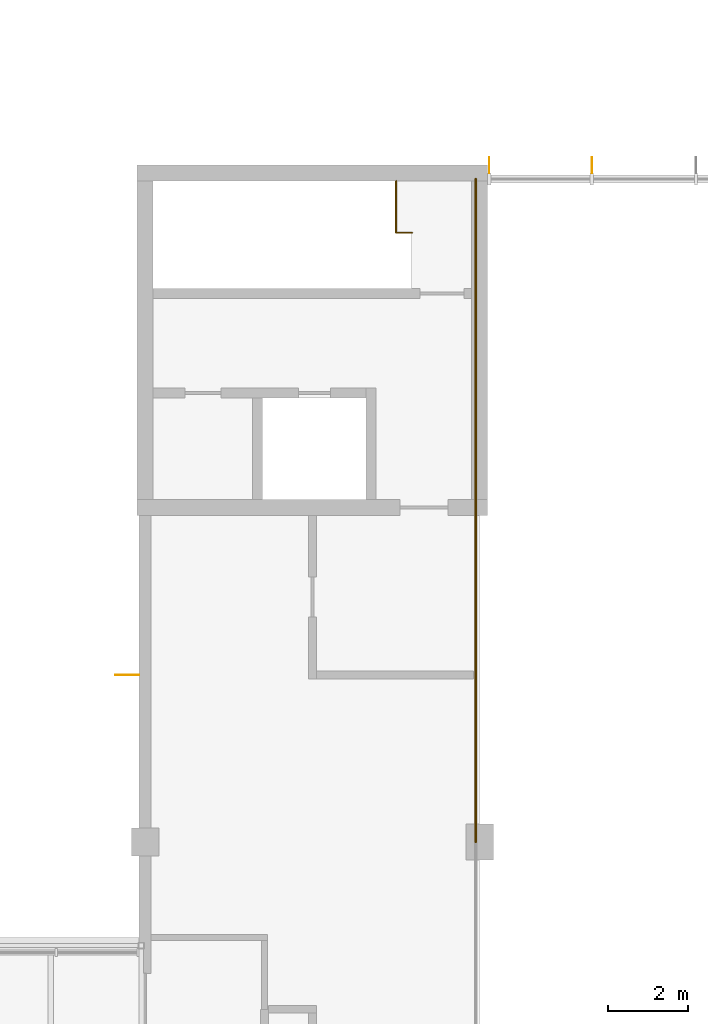
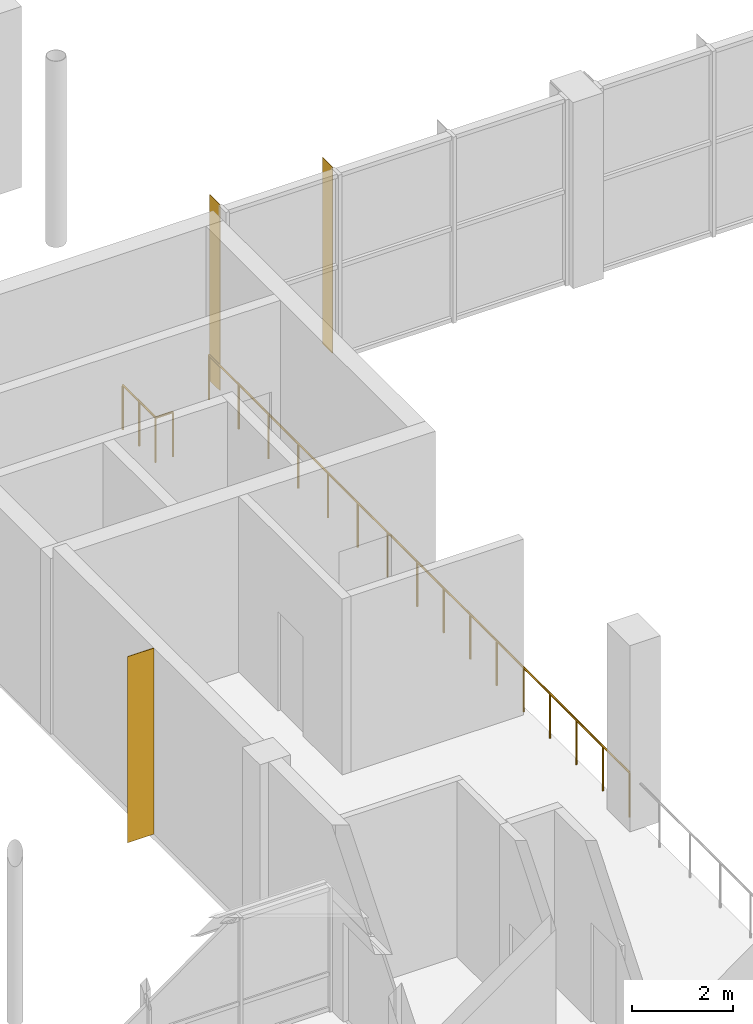
# One storey, part 60 of 70: 3 railings, 3 shading devices.
"""IFC4 building model written with IfcOpenShell, lengths in metres."""

from ifc_helpers import new_model, si_unit, direction, frame, origin, origin_2d, place, context, subcontext, project, spatial, rectangle, circle, extrude, material, layer, layer_set, type_object, element, save


model = new_model("IFC4")

# Units and contexts
model_context = context("Model", 3, precision=1e-05, world=origin(), true_north=direction((0.0, 1.0)))
body_context = subcontext(model_context, "Body", "Model", "MODEL_VIEW")
ifc_project = project(units=[si_unit("LENGTHUNIT", "METRE"), si_unit("AREAUNIT", "SQUARE_METRE"), si_unit("VOLUMEUNIT", "CUBIC_METRE"), si_unit("PLANEANGLEUNIT", "RADIAN"), si_unit("MASSUNIT", "GRAM", prefix="KILO")], contexts=[model_context])

# Site, building, storey
site_placement = place(None, origin())
site = spatial("IfcSite", under=ifc_project, at=site_placement, CompositionType="ELEMENT")
building_placement = place(site_placement, origin())
building = spatial("IfcBuilding", under=site, at=building_placement, Name="Hlaing Beacon Police Headquarters", CompositionType="ELEMENT")
storey_placement = place(building_placement, frame((0.0, 0.0, 5.39990234375)))
storey = spatial("IfcBuildingStorey", under=building, at=storey_placement, Name="L01", CompositionType="ELEMENT", Elevation=5.39990234375)

# Shading devices
ifc_material_1 = material(Name="Aluminium 6063-T5 anodised", Category="aluminium")
ifc_layer_1 = layer(ifc_material_1, 0.011962890625)
ifc_layer_set_1 = layer_set([ifc_layer_1], Name="Aluminium 6063-T5 anodised")
shading_device_type_1 = type_object("IfcShadingDeviceType", Name="Aluminium fin 12x400", PredefinedType="JALOUSIE", material=ifc_layer_set_1)
for number, where, z_axis, x_axis, name in (
    (1, (70.0166015625, 67.39990234375, 0.0), (0.0, 0.0, 1.0), (-1.0, 0.0, 0.0), "Fin L01 N008.2"),
    (2, (67.43994140625, 67.39990234375, 0.0), (0.0, 0.0, 1.0), (-1.0, 0.0, 0.0), "Fin L01 N008.3"),
):
    element("IfcShadingDevice", number, at=place(storey_placement, frame(where, z_axis=z_axis, x_axis=x_axis)), inside=storey, type_object=shading_device_type_1, Name=name, PredefinedType="JALOUSIE", context=body_context, shape_type="SweptSolid", body=[
        extrude(rectangle(XDim=0.011962890625, YDim=0.39990234375, at=origin_2d()), origin(), (0.0, 0.0, 1.0), 4.5),
    ])
ifc_material_2 = material(Name="Aluminium 6063-T5 anodised", Category="aluminium")
ifc_layer_2 = layer(ifc_material_2, 0.011962890625)
ifc_layer_set_2 = layer_set([ifc_layer_2], Name="Aluminium 6063-T5 anodised")
shading_device_type_2 = type_object("IfcShadingDeviceType", Name="Aluminium fin 12x600", PredefinedType="JALOUSIE", material=ifc_layer_set_2)
shading_device_placement = place(storey_placement, frame((58.35009765625, 54.60009765625, 0.0), z_axis=(0.0, 0.0, 1.0), x_axis=(0.0, -1.0, 0.0)))
element("IfcShadingDevice", 3, at=shading_device_placement, inside=storey, type_object=shading_device_type_2, Name="Fin L01 W006", PredefinedType="JALOUSIE", context=body_context, shape_type="SweptSolid", body=[
    extrude(rectangle(XDim=0.011962890625, YDim=0.60009765625, at=origin_2d()), origin(), (0.0, 0.0, 1.0), 4.5),
])

# Railings
ifc_material_3 = material(Name="Stainless steel", Category="steel")
railing_type_1 = type_object("IfcRailingType", Name="Guard 1100", PredefinedType="GUARDRAIL", material=ifc_material_3)
railing_1_placement = place(storey_placement, frame((67.10009765625, 50.39990234375, 0.0)))
element("IfcRailing", 4, at=railing_1_placement, inside=storey, type_object=railing_type_1, Name="Guard L01 6", PredefinedType="GUARDRAIL", context=body_context, shape_type="SweptSolid", body=[
    extrude(circle(Radius=0.02392578125, at=origin_2d()), frame((0.0, 0.0, 1.076171875), z_axis=(0.0, 1.0, 0.0), x_axis=(-1.0, 0.0, 0.0)), (0.0, 0.0, 1.0), 8.400146484375),
    extrude(circle(Radius=0.02099609375, at=origin_2d()), origin(), (0.0, 0.0, 1.0), 1.052001953125),
    extrude(circle(Radius=0.02099609375, at=origin_2d()), frame((0.0, 1.050048828125, 0.0)), (0.0, 0.0, 1.0), 1.052001953125),
    extrude(circle(Radius=0.02099609375, at=origin_2d()), frame((0.0, 2.10009765625, 0.0)), (0.0, 0.0, 1.0), 1.052001953125),
    extrude(circle(Radius=0.02099609375, at=origin_2d()), frame((0.0, 3.150146484375, 0.0)), (0.0, 0.0, 1.0), 1.052001953125),
    extrude(circle(Radius=0.02099609375, at=origin_2d()), frame((0.0, 4.2001953125, 0.0)), (0.0, 0.0, 1.0), 1.052001953125),
    extrude(circle(Radius=0.02099609375, at=origin_2d()), frame((0.0, 5.25, 0.0)), (0.0, 0.0, 1.0), 1.052001953125),
    extrude(circle(Radius=0.02099609375, at=origin_2d()), frame((0.0, 6.300048828125, 0.0)), (0.0, 0.0, 1.0), 1.052001953125),
    extrude(circle(Radius=0.02099609375, at=origin_2d()), frame((0.0, 7.35009765625, 0.0)), (0.0, 0.0, 1.0), 1.052001953125),
    extrude(circle(Radius=0.02099609375, at=origin_2d()), frame((0.0, 8.400146484375, 0.0)), (0.0, 0.0, 1.0), 1.052001953125),
])
railing_2_placement = place(storey_placement, frame((67.10009765625, 58.800048828125, 0.0)))
element("IfcRailing", 5, at=railing_2_placement, inside=storey, type_object=railing_type_1, Name="Guard L01 7", PredefinedType="GUARDRAIL", context=body_context, shape_type="SweptSolid", body=[
    extrude(circle(Radius=0.02392578125, at=origin_2d()), frame((0.0, 0.0, 1.076171875), z_axis=(0.0, 1.0, 0.0), x_axis=(-1.0, 0.0, 0.0)), (0.0, 0.0, 1.0), 8.25),
    extrude(circle(Radius=0.02099609375, at=origin_2d()), origin(), (0.0, 0.0, 1.0), 1.052001953125),
    extrude(circle(Radius=0.02099609375, at=origin_2d()), frame((0.0, 1.178466796875, 0.0)), (0.0, 0.0, 1.0), 1.052001953125),
    extrude(circle(Radius=0.02099609375, at=origin_2d()), frame((0.0, 2.357177734375, 0.0)), (0.0, 0.0, 1.0), 1.052001953125),
    extrude(circle(Radius=0.02099609375, at=origin_2d()), frame((0.0, 3.53564453125, 0.0)), (0.0, 0.0, 1.0), 1.052001953125),
    extrude(circle(Radius=0.02099609375, at=origin_2d()), frame((0.0, 4.71435546875, 0.0)), (0.0, 0.0, 1.0), 1.052001953125),
    extrude(circle(Radius=0.02099609375, at=origin_2d()), frame((0.0, 5.892822265625, 0.0)), (0.0, 0.0, 1.0), 1.052001953125),
    extrude(circle(Radius=0.02099609375, at=origin_2d()), frame((0.0, 7.071533203125, 0.0)), (0.0, 0.0, 1.0), 1.052001953125),
    extrude(circle(Radius=0.02099609375, at=origin_2d()), frame((0.0, 8.25, 0.0)), (0.0, 0.0, 1.0), 1.052001953125),
])
ifc_material_4 = material(Name="Stainless steel", Category="steel")
railing_type_2 = type_object("IfcRailingType", Name="Stair guard 1100", PredefinedType="GUARDRAIL", material=ifc_material_4)
railing_3_placement = place(storey_placement, frame((65.10009765625, 67.0, 0.0)))
element("IfcRailing", 6, at=railing_3_placement, inside=storey, type_object=railing_type_2, Name="Guard ST-B", PredefinedType="GUARDRAIL", context=body_context, shape_type="SweptSolid", body=[
    extrude(circle(Radius=0.02392578125, at=origin_2d()), frame((0.0, 0.0, 1.076171875), z_axis=(0.0, -1.0, 0.0), x_axis=(1.0, 0.0, 0.0)), (0.0, 0.0, 1.0), 1.300048828125),
    extrude(circle(Radius=0.02392578125, at=origin_2d()), frame((0.0, -1.300048828125, 1.076171875), z_axis=(1.0, 0.0, 0.0), x_axis=(0.0, 1.0, 0.0)), (0.0, 0.0, 1.0), 0.39990234375),
    extrude(circle(Radius=0.02099609375, at=origin_2d()), origin(), (0.0, 0.0, 1.0), 1.052001953125),
    extrude(circle(Radius=0.02099609375, at=origin_2d()), frame((0.0, -0.64990234375, 0.0)), (0.0, 0.0, 1.0), 1.052001953125),
    extrude(circle(Radius=0.02099609375, at=origin_2d()), frame((0.0, -1.300048828125, 0.0)), (0.0, 0.0, 1.0), 1.052001953125),
    extrude(circle(Radius=0.02099609375, at=origin_2d()), frame((0.39990234375, -1.300048828125, 0.0)), (0.0, 0.0, 1.0), 1.052001953125),
])

save(model, "model.ifc")
